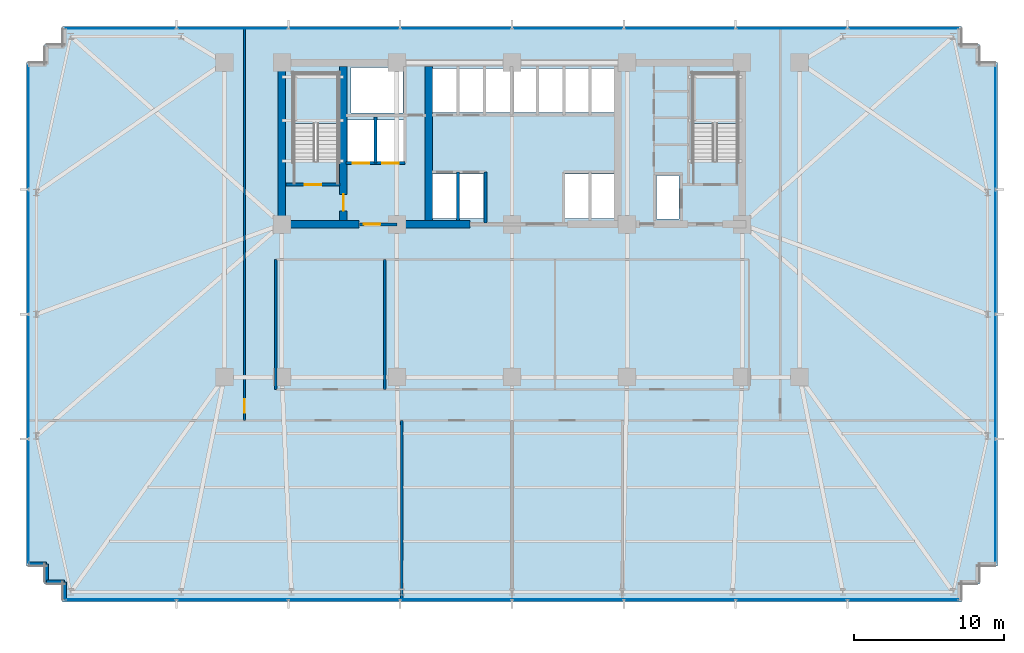
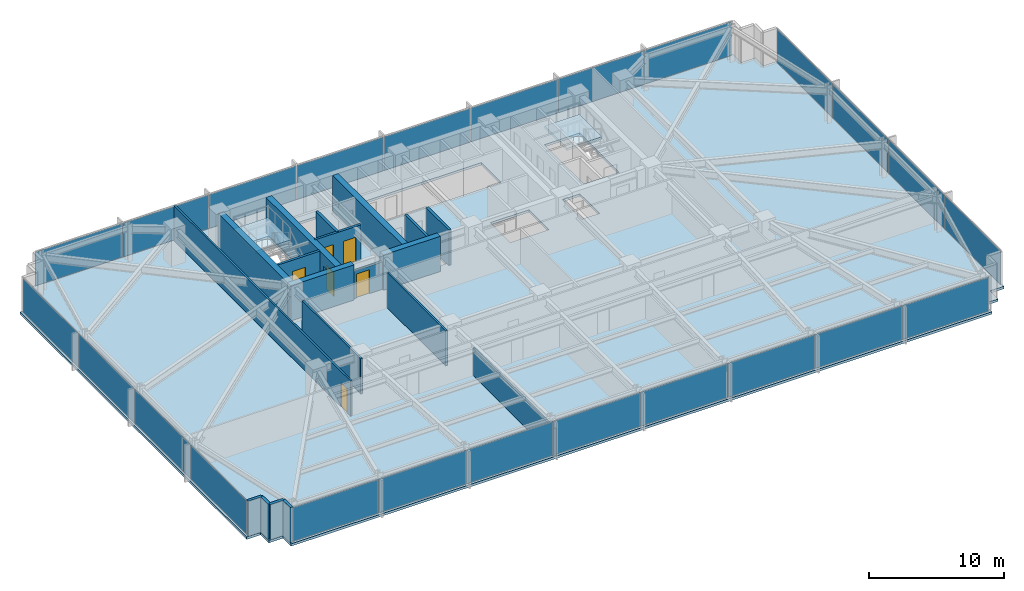
# One storey, part 24 of 32: 24 plates, 19 walls, 6 doors, 3 slabs, 6 openings, 6 elements without a shape of their own.
"""IFC4 building model written with IfcOpenShell, lengths in metres."""

from ifc_helpers import new_model, si_unit, direction, frame, frame_2d, origin, origin_2d, place, context, subcontext, project, spatial, polyline, rectangle, outline, extrude, material, layer, layer_set, type_object, element, fill, aggregate, save


model = new_model("IFC4")

# Units and contexts
model_context = context("Model", 3, precision=1e-05, world=origin(), true_north=direction((0.0, 1.0)))
body_context = subcontext(model_context, "Body", "Model", "MODEL_VIEW")
ifc_project = project(units=[si_unit("LENGTHUNIT", "METRE"), si_unit("AREAUNIT", "SQUARE_METRE"), si_unit("VOLUMEUNIT", "CUBIC_METRE"), si_unit("PLANEANGLEUNIT", "RADIAN"), si_unit("MASSUNIT", "GRAM", prefix="KILO")], contexts=[model_context])

# Site, building, storey
site_placement = place(None, origin())
site = spatial("IfcSite", under=ifc_project, at=site_placement, CompositionType="ELEMENT")
building_placement = place(site_placement, origin())
building = spatial("IfcBuilding", under=site, at=building_placement, Name="Yelkora Congress Tower", CompositionType="ELEMENT")
storey_placement = place(building_placement, frame((0.0, 0.0, 50.800048828125)))
storey = spatial("IfcBuildingStorey", under=building, at=storey_placement, Name="L12", CompositionType="ELEMENT", Elevation=50.800048828125)

# Curtain wall, plates
ifc_material_1 = material(Name="Anodised aluminium and insulated glass", Category="aluminium")
curtain_wall_type = type_object("IfcCurtainWallType", Name="CW-SYS-B1", PredefinedType="NOTDEFINED", material=ifc_material_1)
curtain_wall_1_placement = place(storey_placement, origin())
curtain_wall_1 = element("IfcCurtainWall", 1, at=curtain_wall_1_placement, inside=storey, type_object=curtain_wall_type, Name="L12 Unitised Curtain Wall 5", PredefinedType="NOTDEFINED")
ifc_material_2 = material(Name="Solar-control low-E glass unit B1", Category="glass")
ifc_layer_1 = layer(ifc_material_2, 0.0400390625)
ifc_layer_set_1 = layer_set([ifc_layer_1], Name="Solar-control low-E glass unit B1")
plate_type = type_object("IfcPlateType", Name="PLT-PN-B1", PredefinedType="CURTAIN_PANEL", material=ifc_layer_set_1)
plate_1_placement = place(storey_placement, frame((6.139892578125, 16.923828125, 0.06494140625), z_axis=(0.0, 0.0, 1.0), x_axis=(0.0, 1.0, 0.0)))
plate_1 = element("IfcPlate", 2, at=plate_1_placement, type_object=plate_type, Name="CW-B1 panel 1.1", PredefinedType="CURTAIN_PANEL", context=body_context, shape_type="SweptSolid", body=[
    extrude(rectangle(XDim=8.217529296875, YDim=0.0400390625, at=origin_2d()), origin(), (0.0, 0.0, 1.0), 3.050048828125),
])
plate_2_placement = place(storey_placement, frame((6.139892578125, 25.235107421875, 0.06494140625), z_axis=(0.0, 0.0, 1.0), x_axis=(0.0, 1.0, 0.0)))
plate_2 = element("IfcPlate", 3, at=plate_2_placement, type_object=plate_type, Name="CW-B1 panel 2.1", PredefinedType="CURTAIN_PANEL", context=body_context, shape_type="SweptSolid", body=[
    extrude(rectangle(XDim=8.2548828125, YDim=0.0400390625, at=origin_2d()), origin(), (0.0, 0.0, 1.0), 3.050048828125),
])
plate_3_placement = place(storey_placement, frame((6.139892578125, 33.56494140625, 0.06494140625), z_axis=(0.0, 0.0, 1.0), x_axis=(0.0, 1.0, 0.0)))
plate_3 = element("IfcPlate", 4, at=plate_3_placement, type_object=plate_type, Name="CW-B1 panel 3.1", PredefinedType="CURTAIN_PANEL", context=body_context, shape_type="SweptSolid", body=[
    extrude(rectangle(XDim=8.2548828125, YDim=0.0400390625, at=origin_2d()), origin(), (0.0, 0.0, 1.0), 3.050048828125),
])
plate_4_placement = place(storey_placement, frame((6.139892578125, 41.876220703125, 0.06494140625), z_axis=(0.0, 0.0, 1.0), x_axis=(0.0, 1.0, 0.0)))
plate_4 = element("IfcPlate", 5, at=plate_4_placement, type_object=plate_type, Name="CW-B1 panel 4.1", PredefinedType="CURTAIN_PANEL", context=body_context, shape_type="SweptSolid", body=[
    extrude(rectangle(XDim=8.217529296875, YDim=0.0400390625, at=origin_2d()), origin(), (0.0, 0.0, 1.0), 3.050048828125),
])
aggregate(curtain_wall_1, [plate_1, plate_2, plate_3, plate_4])

curtain_wall_2_placement = place(storey_placement, origin())
curtain_wall_2 = element("IfcCurtainWall", 6, at=curtain_wall_2_placement, inside=storey, type_object=curtain_wall_type, Name="L12 Unitised Curtain Wall 10", PredefinedType="NOTDEFINED")
plate_5_placement = place(storey_placement, frame((12.291259765625, 48.4599609375, 0.06494140625), z_axis=(0.0, 0.0, 1.0), x_axis=(1.0, 0.0, 0.0)))
plate_5 = element("IfcPlate", 7, at=plate_5_placement, type_object=plate_type, Name="CW-B1 panel 1.1", PredefinedType="CURTAIN_PANEL", context=body_context, shape_type="SweptSolid", body=[
    extrude(rectangle(XDim=7.3525390625, YDim=0.0400390625, at=origin_2d()), origin(), (0.0, 0.0, 1.0), 3.050048828125),
])
plate_6_placement = place(storey_placement, frame((19.737548828125, 48.4599609375, 0.06494140625), z_axis=(0.0, 0.0, 1.0), x_axis=(1.0, 0.0, 0.0)))
plate_6 = element("IfcPlate", 8, at=plate_6_placement, type_object=plate_type, Name="CW-B1 panel 2.1", PredefinedType="CURTAIN_PANEL", context=body_context, shape_type="SweptSolid", body=[
    extrude(rectangle(XDim=7.389892578125, YDim=0.0400390625, at=origin_2d()), origin(), (0.0, 0.0, 1.0), 3.050048828125),
])
plate_7_placement = place(storey_placement, frame((27.202392578125, 48.4599609375, 0.06494140625), z_axis=(0.0, 0.0, 1.0), x_axis=(1.0, 0.0, 0.0)))
plate_7 = element("IfcPlate", 9, at=plate_7_placement, type_object=plate_type, Name="CW-B1 panel 3.1", PredefinedType="CURTAIN_PANEL", context=body_context, shape_type="SweptSolid", body=[
    extrude(rectangle(XDim=7.389892578125, YDim=0.0400390625, at=origin_2d()), origin(), (0.0, 0.0, 1.0), 3.050048828125),
])
plate_8_placement = place(storey_placement, frame((34.66748046875, 48.4599609375, 0.06494140625), z_axis=(0.0, 0.0, 1.0), x_axis=(1.0, 0.0, 0.0)))
plate_8 = element("IfcPlate", 10, at=plate_8_placement, type_object=plate_type, Name="CW-B1 panel 4.1", PredefinedType="CURTAIN_PANEL", context=body_context, shape_type="SweptSolid", body=[
    extrude(rectangle(XDim=7.389892578125, YDim=0.0400390625, at=origin_2d()), origin(), (0.0, 0.0, 1.0), 3.050048828125),
])
plate_9_placement = place(storey_placement, frame((42.132568359375, 48.4599609375, 0.06494140625), z_axis=(0.0, 0.0, 1.0), x_axis=(1.0, 0.0, 0.0)))
plate_9 = element("IfcPlate", 11, at=plate_9_placement, type_object=plate_type, Name="CW-B1 panel 5.1", PredefinedType="CURTAIN_PANEL", context=body_context, shape_type="SweptSolid", body=[
    extrude(rectangle(XDim=7.389892578125, YDim=0.0400390625, at=origin_2d()), origin(), (0.0, 0.0, 1.0), 3.050048828125),
])
plate_10_placement = place(storey_placement, frame((49.597412109375, 48.4599609375, 0.06494140625), z_axis=(0.0, 0.0, 1.0), x_axis=(1.0, 0.0, 0.0)))
plate_10 = element("IfcPlate", 12, at=plate_10_placement, type_object=plate_type, Name="CW-B1 panel 6.1", PredefinedType="CURTAIN_PANEL", context=body_context, shape_type="SweptSolid", body=[
    extrude(rectangle(XDim=7.389892578125, YDim=0.0400390625, at=origin_2d()), origin(), (0.0, 0.0, 1.0), 3.050048828125),
])
plate_11_placement = place(storey_placement, frame((57.0625, 48.4599609375, 0.06494140625), z_axis=(0.0, 0.0, 1.0), x_axis=(1.0, 0.0, 0.0)))
plate_11 = element("IfcPlate", 13, at=plate_11_placement, type_object=plate_type, Name="CW-B1 panel 7.1", PredefinedType="CURTAIN_PANEL", context=body_context, shape_type="SweptSolid", body=[
    extrude(rectangle(XDim=7.389892578125, YDim=0.0400390625, at=origin_2d()), origin(), (0.0, 0.0, 1.0), 3.050048828125),
])
plate_12_placement = place(storey_placement, frame((64.5087890625, 48.4599609375, 0.06494140625), z_axis=(0.0, 0.0, 1.0), x_axis=(1.0, 0.0, 0.0)))
plate_12 = element("IfcPlate", 14, at=plate_12_placement, type_object=plate_type, Name="CW-B1 panel 8.1", PredefinedType="CURTAIN_PANEL", context=body_context, shape_type="SweptSolid", body=[
    extrude(rectangle(XDim=7.3525390625, YDim=0.0400390625, at=origin_2d()), origin(), (0.0, 0.0, 1.0), 3.050048828125),
])
aggregate(curtain_wall_2, [plate_5, plate_6, plate_7, plate_8, plate_9, plate_10, plate_11, plate_12])

curtain_wall_3_placement = place(storey_placement, origin())
curtain_wall_3 = element("IfcCurtainWall", 15, at=curtain_wall_3_placement, inside=storey, type_object=curtain_wall_type, Name="L12 Unitised Curtain Wall 15", PredefinedType="NOTDEFINED")
plate_13_placement = place(storey_placement, frame((70.659912109375, 41.876220703125, 0.06494140625), z_axis=(0.0, 0.0, 1.0), x_axis=(0.0, -1.0, 0.0)))
plate_13 = element("IfcPlate", 16, at=plate_13_placement, type_object=plate_type, Name="CW-B1 panel 1.1", PredefinedType="CURTAIN_PANEL", context=body_context, shape_type="SweptSolid", body=[
    extrude(rectangle(XDim=8.217529296875, YDim=0.0400390625, at=origin_2d()), origin(), (0.0, 0.0, 1.0), 3.050048828125),
])
plate_14_placement = place(storey_placement, frame((70.659912109375, 33.56494140625, 0.06494140625), z_axis=(0.0, 0.0, 1.0), x_axis=(0.0, -1.0, 0.0)))
plate_14 = element("IfcPlate", 17, at=plate_14_placement, type_object=plate_type, Name="CW-B1 panel 2.1", PredefinedType="CURTAIN_PANEL", context=body_context, shape_type="SweptSolid", body=[
    extrude(rectangle(XDim=8.2548828125, YDim=0.0400390625, at=origin_2d()), origin(), (0.0, 0.0, 1.0), 3.050048828125),
])
plate_15_placement = place(storey_placement, frame((70.659912109375, 25.235107421875, 0.06494140625), z_axis=(0.0, 0.0, 1.0), x_axis=(0.0, -1.0, 0.0)))
plate_15 = element("IfcPlate", 18, at=plate_15_placement, type_object=plate_type, Name="CW-B1 panel 3.1", PredefinedType="CURTAIN_PANEL", context=body_context, shape_type="SweptSolid", body=[
    extrude(rectangle(XDim=8.2548828125, YDim=0.0400390625, at=origin_2d()), origin(), (0.0, 0.0, 1.0), 3.050048828125),
])
plate_16_placement = place(storey_placement, frame((70.659912109375, 16.923828125, 0.06494140625), z_axis=(0.0, 0.0, 1.0), x_axis=(0.0, -1.0, 0.0)))
plate_16 = element("IfcPlate", 19, at=plate_16_placement, type_object=plate_type, Name="CW-B1 panel 4.1", PredefinedType="CURTAIN_PANEL", context=body_context, shape_type="SweptSolid", body=[
    extrude(rectangle(XDim=8.217529296875, YDim=0.0400390625, at=origin_2d()), origin(), (0.0, 0.0, 1.0), 3.050048828125),
])
aggregate(curtain_wall_3, [plate_13, plate_14, plate_15, plate_16])

curtain_wall_4_placement = place(storey_placement, origin())
curtain_wall_4 = element("IfcCurtainWall", 20, at=curtain_wall_4_placement, inside=storey, type_object=curtain_wall_type, Name="L12 Unitised Curtain Wall 20", PredefinedType="NOTDEFINED")
plate_17_placement = place(storey_placement, frame((64.5087890625, 10.340087890625, 0.06494140625), z_axis=(0.0, 0.0, 1.0), x_axis=(-1.0, 0.0, 0.0)))
plate_17 = element("IfcPlate", 21, at=plate_17_placement, type_object=plate_type, Name="CW-B1 panel 1.1", PredefinedType="CURTAIN_PANEL", context=body_context, shape_type="SweptSolid", body=[
    extrude(rectangle(XDim=7.3525390625, YDim=0.0400390625, at=origin_2d()), origin(), (0.0, 0.0, 1.0), 3.050048828125),
])
plate_18_placement = place(storey_placement, frame((57.0625, 10.340087890625, 0.06494140625), z_axis=(0.0, 0.0, 1.0), x_axis=(-1.0, 0.0, 0.0)))
plate_18 = element("IfcPlate", 22, at=plate_18_placement, type_object=plate_type, Name="CW-B1 panel 2.1", PredefinedType="CURTAIN_PANEL", context=body_context, shape_type="SweptSolid", body=[
    extrude(rectangle(XDim=7.389892578125, YDim=0.0400390625, at=origin_2d()), origin(), (0.0, 0.0, 1.0), 3.050048828125),
])
plate_19_placement = place(storey_placement, frame((49.597412109375, 10.340087890625, 0.06494140625), z_axis=(0.0, 0.0, 1.0), x_axis=(-1.0, 0.0, 0.0)))
plate_19 = element("IfcPlate", 23, at=plate_19_placement, type_object=plate_type, Name="CW-B1 panel 3.1", PredefinedType="CURTAIN_PANEL", context=body_context, shape_type="SweptSolid", body=[
    extrude(rectangle(XDim=7.389892578125, YDim=0.0400390625, at=origin_2d()), origin(), (0.0, 0.0, 1.0), 3.050048828125),
])
plate_20_placement = place(storey_placement, frame((42.132568359375, 10.340087890625, 0.06494140625), z_axis=(0.0, 0.0, 1.0), x_axis=(-1.0, 0.0, 0.0)))
plate_20 = element("IfcPlate", 24, at=plate_20_placement, type_object=plate_type, Name="CW-B1 panel 4.1", PredefinedType="CURTAIN_PANEL", context=body_context, shape_type="SweptSolid", body=[
    extrude(rectangle(XDim=7.389892578125, YDim=0.0400390625, at=origin_2d()), origin(), (0.0, 0.0, 1.0), 3.050048828125),
])
plate_21_placement = place(storey_placement, frame((34.66748046875, 10.340087890625, 0.06494140625), z_axis=(0.0, 0.0, 1.0), x_axis=(-1.0, 0.0, 0.0)))
plate_21 = element("IfcPlate", 25, at=plate_21_placement, type_object=plate_type, Name="CW-B1 panel 5.1", PredefinedType="CURTAIN_PANEL", context=body_context, shape_type="SweptSolid", body=[
    extrude(rectangle(XDim=7.389892578125, YDim=0.0400390625, at=origin_2d()), origin(), (0.0, 0.0, 1.0), 3.050048828125),
])
plate_22_placement = place(storey_placement, frame((27.202392578125, 10.340087890625, 0.06494140625), z_axis=(0.0, 0.0, 1.0), x_axis=(-1.0, 0.0, 0.0)))
plate_22 = element("IfcPlate", 26, at=plate_22_placement, type_object=plate_type, Name="CW-B1 panel 6.1", PredefinedType="CURTAIN_PANEL", context=body_context, shape_type="SweptSolid", body=[
    extrude(rectangle(XDim=7.389892578125, YDim=0.0400390625, at=origin_2d()), origin(), (0.0, 0.0, 1.0), 3.050048828125),
])
plate_23_placement = place(storey_placement, frame((19.737548828125, 10.340087890625, 0.06494140625), z_axis=(0.0, 0.0, 1.0), x_axis=(-1.0, 0.0, 0.0)))
plate_23 = element("IfcPlate", 27, at=plate_23_placement, type_object=plate_type, Name="CW-B1 panel 7.1", PredefinedType="CURTAIN_PANEL", context=body_context, shape_type="SweptSolid", body=[
    extrude(rectangle(XDim=7.389892578125, YDim=0.0400390625, at=origin_2d()), origin(), (0.0, 0.0, 1.0), 3.050048828125),
])
plate_24_placement = place(storey_placement, frame((12.291259765625, 10.340087890625, 0.06494140625), z_axis=(0.0, 0.0, 1.0), x_axis=(-1.0, 0.0, 0.0)))
plate_24 = element("IfcPlate", 28, at=plate_24_placement, type_object=plate_type, Name="CW-B1 panel 8.1", PredefinedType="CURTAIN_PANEL", context=body_context, shape_type="SweptSolid", body=[
    extrude(rectangle(XDim=7.3525390625, YDim=0.0400390625, at=origin_2d()), origin(), (0.0, 0.0, 1.0), 3.050048828125),
])
aggregate(curtain_wall_4, [plate_17, plate_18, plate_19, plate_20, plate_21, plate_22, plate_23, plate_24])

# Stair, slab
ifc_material_3 = material(Name="Concrete C40/50", Category="concrete")
stair_type = type_object("IfcStairType", Name="STAIR-HT-1420-R20-170", PredefinedType="HALF_TURN_STAIR", material=ifc_material_3)
stair_1_placement = place(storey_placement, origin())
stair_1 = element("IfcStair", 29, at=stair_1_placement, inside=storey, type_object=stair_type, Name="West Core Protected Exit Stair ST-01 (L12)", PredefinedType="HALF_TURN_STAIR")
ifc_layer_2 = layer(ifc_material_3, 0.219970703125)
ifc_layer_set_2 = layer_set([ifc_layer_2], Name="Concrete C40/50")
slab_type_1 = type_object("IfcSlabType", Name="SLAB-LANDING-220", PredefinedType="LANDING", material=ifc_layer_set_2)
slab_1_placement = place(storey_placement, frame((0.0, 0.0, 1.47998046875)))
slab_1 = element("IfcSlab", 30, at=slab_1_placement, type_object=slab_type_1, Name="ST-01 L12 Half Landing 1", PredefinedType="LANDING", context=body_context, shape_type="SweptSolid", body=[
    extrude(outline(polyline([(26.820068359375, 42.1201171875), (26.820068359375, 45.469970703125), (23.820068359375, 45.469970703125), (23.820068359375, 42.1201171875), (26.820068359375, 42.1201171875)])), origin(), (0.0, 0.0, 1.0), 0.219970703125),
])
aggregate(stair_1, [slab_1])

stair_2_placement = place(storey_placement, origin())
stair_2 = element("IfcStair", 31, at=stair_2_placement, inside=storey, type_object=stair_type, Name="East Core Protected Exit Stair ST-02 (L12)", PredefinedType="HALF_TURN_STAIR")
slab_2_placement = place(storey_placement, frame((0.0, 0.0, 1.47998046875)))
slab_2 = element("IfcSlab", 32, at=slab_2_placement, type_object=slab_type_1, Name="ST-02 L12 Half Landing 1", PredefinedType="LANDING", context=body_context, shape_type="SweptSolid", body=[
    extrude(outline(polyline([(53.4599609375, 42.1201171875), (53.4599609375, 45.469970703125), (50.4599609375, 45.469970703125), (50.4599609375, 42.1201171875), (53.4599609375, 42.1201171875)])), origin(), (0.0, 0.0, 1.0), 0.219970703125),
])
aggregate(stair_2, [slab_2])

# Slab
ifc_layer_3 = layer(ifc_material_3, 0.219970703125)
ifc_layer_set_3 = layer_set([ifc_layer_3], Name="Concrete C40/50")
slab_type_2 = type_object("IfcSlabType", Name="SLAB-TWR-220", PredefinedType="FLOOR", material=ifc_layer_set_3)
slab_3_placement = place(storey_placement, frame((0.0, 0.0, -0.219970703125)))
element("IfcSlab", 33, at=slab_3_placement, inside=storey, type_object=slab_type_2, Name="L12 Structural Floor Slab", PredefinedType="FLOOR", context=body_context, shape_type="SweptSolid", body=[
    extrude(outline(polyline([(8.39990234375, 10.199951171875), (68.39990234375, 10.199951171875), (68.39990234375, 11.39990234375), (69.60009765625, 11.39990234375), (69.60009765625, 12.60009765625), (70.800048828125, 12.60009765625), (70.800048828125, 46.199951171875), (69.60009765625, 46.199951171875), (69.60009765625, 47.39990234375), (68.39990234375, 47.39990234375), (68.39990234375, 48.60009765625), (8.39990234375, 48.60009765625), (8.39990234375, 47.39990234375), (7.199951171875, 47.39990234375), (7.199951171875, 46.199951171875), (6.0, 46.199951171875), (6.0, 12.60009765625), (7.199951171875, 12.60009765625), (7.199951171875, 11.39990234375), (8.39990234375, 11.39990234375), (8.39990234375, 10.199951171875)]), holes=[polyline([(23.820068359375, 39.6298828125), (26.820068359375, 39.6298828125), (26.820068359375, 45.469970703125), (23.820068359375, 45.469970703125), (23.820068359375, 39.6298828125)]), polyline([(50.4599609375, 39.6298828125), (53.4599609375, 39.6298828125), (53.4599609375, 45.469970703125), (50.4599609375, 45.469970703125), (50.4599609375, 39.6298828125)]), polyline([(48.050048828125, 35.75), (49.550048828125, 35.75), (49.550048828125, 38.64990234375), (48.050048828125, 38.64990234375), (48.050048828125, 35.75)]), polyline([(41.949951171875, 35.800048828125), (45.25, 35.800048828125), (45.25, 38.75), (41.949951171875, 38.75), (41.949951171875, 35.800048828125)]), polyline([(33.10009765625, 42.85009765625), (45.25, 42.85009765625), (45.25, 45.800048828125), (33.10009765625, 45.800048828125), (33.10009765625, 42.85009765625)]), polyline([(33.10009765625, 35.800048828125), (36.5, 35.800048828125), (36.5, 38.75), (33.10009765625, 38.75), (33.10009765625, 35.800048828125)]), polyline([(27.419921875, 39.60009765625), (31.179931640625, 39.60009765625), (31.179931640625, 42.35009765625), (27.419921875, 42.35009765625), (27.419921875, 39.60009765625)]), polyline([(27.64990234375, 42.820068359375), (31.1201171875, 42.820068359375), (31.1201171875, 45.8798828125), (27.64990234375, 45.8798828125), (27.64990234375, 42.820068359375)])]), origin(), (0.0, 0.0, 1.0), 0.219970703125),
])

# Walls
ifc_material_4 = material(Name="Concrete C60/75", Category="concrete")
ifc_layer_4 = layer(ifc_material_4, 0.5)
ifc_layer_set_4 = layer_set([ifc_layer_4], Name="Concrete C60/75")
wall_type_1 = type_object("IfcWallType", Name="WALL-CORE-INT-500", PredefinedType="SHEAR", material=ifc_layer_set_4)
wall_1_placement = place(storey_placement, frame((22.7900390625, 35.39990234375, 0.0), z_axis=(0.0, 0.0, 1.0), x_axis=(1.0, 0.0, 0.0)))
element("IfcWall", 34, at=wall_1_placement, inside=storey, type_object=wall_type_1, Name="L12 Rear Core South-West Shear Wall", PredefinedType="SHEAR", context=body_context, shape_type="SweptSolid", body=[
    extrude(rectangle(XDim=5.409912109375, YDim=0.5, at=frame_2d((2.705078125, 0.0))), origin(), (0.0, 0.0, 1.0), 3.179931640625),
])
wall_2_placement = place(storey_placement, frame((30.719970703125, 35.39990234375, 0.0), z_axis=(0.0, 0.0, 1.0), x_axis=(1.0, 0.0, 0.0)))
element("IfcWall", 35, at=wall_2_placement, inside=storey, type_object=wall_type_1, Name="L12 Rear Core South-Center Shear Pier", PredefinedType="SHEAR", context=body_context, shape_type="SweptSolid", body=[
    extrude(rectangle(XDim=4.880126953125, YDim=0.5, at=frame_2d((2.43994140625, 0.0))), origin(), (0.0, 0.0, 1.0), 3.179931640625),
])
wall_3_placement = place(storey_placement, frame((23.0400390625, 35.64990234375, 0.0), z_axis=(0.0, 0.0, 1.0), x_axis=(0.0, 1.0, 0.0)))
element("IfcWall", 36, at=wall_3_placement, inside=storey, type_object=wall_type_1, Name="L12 Rear Core Cross Shear Wall W", PredefinedType="SHEAR", context=body_context, shape_type="SweptSolid", body=[
    extrude(rectangle(XDim=10.300048828125, YDim=0.5, at=frame_2d((5.14990234375, 0.0))), origin(), (0.0, 0.0, 1.0), 3.179931640625),
])

# Wall, opening, door
wall_4_placement = place(storey_placement, frame((27.14990234375, 35.64990234375, 0.0), z_axis=(0.0, 0.0, 1.0), x_axis=(0.0, 1.0, 0.0)))
wall_4 = element("IfcWall", 37, at=wall_4_placement, inside=storey, type_object=wall_type_1, Name="L12 Rear Core Cross Shear Wall C1", PredefinedType="SHEAR", context=body_context, shape_type="SweptSolid", body=[
    extrude(rectangle(XDim=10.300048828125, YDim=0.5, at=frame_2d((5.14990234375, 0.0))), origin(), (0.0, 0.0, 1.0), 3.179931640625),
])
opening_1_placement = place(wall_4_placement, frame((0.64990234375, 0.0, 0.0)))
opening_1 = element("IfcOpeningElement", 38, at=opening_1_placement, cuts=wall_4, Name="Opening DR-110F9", PredefinedType="OPENING", context=body_context, shape_type="SweptSolid", body=[
    extrude(rectangle(XDim=1.10009765625, YDim=2.14990234375, at=frame_2d((0.550048828125, 1.074951171875))), frame((0.0, 0.260009765625, 0.0), z_axis=(0.0, -1.0, 0.0), x_axis=(1.0, 0.0, 0.0)), (0.0, 0.0, 1.0), 0.52001953125),
])
ifc_material_5 = material(Name="Galvanised steel fire door leaf", Category="steel")
door_type_1 = type_object("IfcDoorType", Name="DOOR-FD90-1100", OperationType="NOTDEFINED", PredefinedType="DOOR", material=ifc_material_5)
door_1_placement = place(opening_1_placement, origin())
door_1 = element("IfcDoor", 39, at=door_1_placement, inside=storey, type_object=door_type_1, Name="L12 Firefighting Stair Transfer Door", OperationType="SINGLE_SWING_LEFT", OverallHeight=2.14990234375, OverallWidth=1.10009765625, PredefinedType="DOOR", context=body_context, shape_type="SweptSolid", body=[
    extrude(rectangle(XDim=1.10009765625, YDim=2.14990234375, at=frame_2d((0.550048828125, 1.074951171875))), frame((0.0, 0.02490234375, 0.0), z_axis=(0.0, -1.0, 0.0), x_axis=(1.0, 0.0, 0.0)), (0.0, 0.0, 1.0), 0.050048828125),
])
fill(opening_1, door_1)

# Walls
wall_5_placement = place(storey_placement, frame((32.85009765625, 35.64990234375, 0.0), z_axis=(0.0, 0.0, 1.0), x_axis=(0.0, 1.0, 0.0)))
element("IfcWall", 40, at=wall_5_placement, inside=storey, type_object=wall_type_1, Name="L12 Rear Core Cross Shear Wall C2", PredefinedType="SHEAR", context=body_context, shape_type="SweptSolid", body=[
    extrude(rectangle(XDim=10.300048828125, YDim=0.5, at=frame_2d((5.14990234375, 0.0))), origin(), (0.0, 0.0, 1.0), 3.179931640625),
])
ifc_layer_5 = layer(ifc_material_3, 0.239990234375)
ifc_layer_set_5 = layer_set([ifc_layer_5], Name="Concrete C40/50")
wall_type_2 = type_object("IfcWallType", Name="WALL-EXT-LIMESTONE-240", PredefinedType="SOLIDWALL", material=ifc_layer_set_5)
for number, where, z_axis, x_axis, name in (
    (41, (8.5400390625, 10.340087890625, 0.0), (0.0, 0.0, 1.0), (0.0, 1.0, 0.0), "L12 Serrated Corner Limestone Pier 1"),
    (42, (8.5400390625, 11.5400390625, 0.0), (0.0, 0.0, 1.0), (-1.0, 0.0, 0.0), "L12 Serrated Corner Limestone Pier 2"),
    (43, (7.340087890625, 11.5400390625, 0.0), (0.0, 0.0, 1.0), (0.0, 1.0, 0.0), "L12 Serrated Corner Limestone Pier 3"),
):
    element("IfcWall", number, at=place(storey_placement, frame(where, z_axis=z_axis, x_axis=x_axis)), inside=storey, type_object=wall_type_2, Name=name, PredefinedType="SOLIDWALL", context=body_context, shape_type="SweptSolid", body=[
        extrude(rectangle(XDim=1.199951171875, YDim=0.239990234375, at=frame_2d((0.60009765625, 0.0))), origin(), (0.0, 0.0, 1.0), 3.179931640625),
    ])
wall_6_placement = place(storey_placement, frame((7.340087890625, 12.739990234375, 0.0), z_axis=(0.0, 0.0, 1.0), x_axis=(-1.0, 0.0, 0.0)))
element("IfcWall", 44, at=wall_6_placement, inside=storey, type_object=wall_type_2, Name="L12 Serrated Corner Limestone Pier 4", PredefinedType="SOLIDWALL", context=body_context, shape_type="SweptSolid", body=[
    extrude(rectangle(XDim=1.2001953125, YDim=0.239990234375, at=frame_2d((0.60009765625, 0.0))), origin(), (0.0, 0.0, 1.0), 3.179931640625),
])
ifc_material_6 = material(Name="Acoustic metal-stud gypsum partition", Category="gypsum")
ifc_layer_6 = layer(ifc_material_6, 0.14990234375)
ifc_layer_set_6 = layer_set([ifc_layer_6], Name="Acoustic metal-stud gypsum partition")
wall_type_3 = type_object("IfcWallType", Name="WALL-INT-150-NR", PredefinedType="PARTITIONING", material=ifc_layer_set_6)
wall_7_placement = place(storey_placement, frame((31.0380859375, 10.280029296875, 0.0), z_axis=(0.0, 0.0, 1.0), x_axis=(0.0, 1.0, 0.0)))
element("IfcWall", 45, at=wall_7_placement, inside=storey, type_object=wall_type_3, Name="L12 Partition Wall 32", PredefinedType="PARTITIONING", context=body_context, shape_type="SweptSolid", body=[
    extrude(rectangle(XDim=12.0400390625, YDim=0.14990234375, at=frame_2d((6.02001953125, 0.0))), origin(), (0.0, 0.0, 1.0), 2.474853515625),
])

# Wall, opening, door
wall_8_placement = place(storey_placement, frame((20.550048828125, 22.300048828125, 0.0), z_axis=(0.0, 0.0, 1.0), x_axis=(0.0, 1.0, 0.0)))
wall_8 = element("IfcWall", 46, at=wall_8_placement, inside=storey, type_object=wall_type_3, Name="L12 Partition Wall 36", PredefinedType="PARTITIONING", context=body_context, shape_type="SweptSolid", body=[
    extrude(rectangle(XDim=26.219970703125, YDim=0.14990234375, at=frame_2d((13.10986328125, 0.0))), origin(), (0.0, 0.0, 1.0), 3.179931640625),
])
opening_2_placement = place(wall_8_placement, frame((0.528076171875, 0.0, 0.0)))
opening_2 = element("IfcOpeningElement", 47, at=opening_2_placement, cuts=wall_8, Name="Opening DR-090N", PredefinedType="OPENING", context=body_context, shape_type="SweptSolid", body=[
    extrude(rectangle(XDim=0.89990234375, YDim=2.14990234375, at=frame_2d((0.449951171875, 1.074951171875))), frame((0.0, 0.0849609375, 0.0), z_axis=(0.0, -1.0, 0.0), x_axis=(1.0, 0.0, 0.0)), (0.0, 0.0, 1.0), 0.169921875),
])
ifc_material_7 = material(Name="Moisture-resistant laminate door leaf", Category="wood")
door_type_2 = type_object("IfcDoorType", Name="DOOR-INT-900", OperationType="NOTDEFINED", PredefinedType="DOOR", material=ifc_material_7)
door_2_placement = place(opening_2_placement, origin())
door_2 = element("IfcDoor", 48, at=door_2_placement, inside=storey, type_object=door_type_2, Name="L12 W Wing Door", OperationType="SINGLE_SWING_RIGHT", OverallHeight=2.14990234375, OverallWidth=0.89990234375, PredefinedType="DOOR", context=body_context, shape_type="SweptSolid", body=[
    extrude(rectangle(XDim=0.89990234375, YDim=2.14990234375, at=frame_2d((0.449951171875, 1.074951171875))), frame((0.0, 0.02490234375, 0.0), z_axis=(0.0, -1.0, 0.0), x_axis=(1.0, 0.0, 0.0)), (0.0, 0.0, 1.0), 0.050048828125),
])
fill(opening_2, door_2)

# Walls
for number, where, z_axis, x_axis, name in (
    (49, (22.6298828125, 24.3798828125, 0.0), (0.0, 0.0, 1.0), (0.0, 1.0, 0.0), "L12 Partition Wall 38"),
    (50, (29.90087890625, 24.3798828125, 0.0), (0.0, 0.0, 1.0), (0.0, 1.0, 0.0), "L12 Partition Wall 41"),
):
    element("IfcWall", number, at=place(storey_placement, frame(where, z_axis=z_axis, x_axis=x_axis)), inside=storey, type_object=wall_type_3, Name=name, PredefinedType="PARTITIONING", context=body_context, shape_type="SweptSolid", body=[
        extrude(rectangle(XDim=8.670166015625, YDim=0.14990234375, at=frame_2d((4.3349609375, 0.0))), origin(), (0.0, 0.0, 1.0), 3.179931640625),
    ])

# Wall, opening, door
ifc_material_8 = material(Name="Autoclaved aerated concrete blockwork", Category="masonry")
ifc_layer_7 = layer(ifc_material_8, 0.199951171875)
ifc_layer_set_7 = layer_set([ifc_layer_7], Name="Autoclaved aerated concrete blockwork")
wall_type_4 = type_object("IfcWallType", Name="WALL-INT-200-R120", PredefinedType="PARTITIONING", material=ifc_layer_set_7)
wall_9_placement = place(storey_placement, frame((23.300048828125, 38.050048828125, 0.0), z_axis=(0.0, 0.0, 1.0), x_axis=(1.0, 0.0, 0.0)))
wall_9 = element("IfcWall", 51, at=wall_9_placement, inside=storey, type_object=wall_type_4, Name="L12 Stair ST-01 Enclosure Wall", PredefinedType="PARTITIONING", context=body_context, shape_type="SweptSolid", body=[
    extrude(rectangle(XDim=3.619873046875, YDim=0.199951171875, at=frame_2d((1.81005859375, 0.0))), origin(), (0.0, 0.0, 1.0), 3.179931640625),
])
opening_3_placement = place(wall_9_placement, frame((1.260009765625, 0.0, 0.0)))
opening_3 = element("IfcOpeningElement", 52, at=opening_3_placement, cuts=wall_9, Name="Opening DR-110F9", PredefinedType="OPENING", context=body_context, shape_type="SweptSolid", body=[
    extrude(rectangle(XDim=1.10009765625, YDim=2.14990234375, at=frame_2d((0.550048828125, 1.074951171875))), frame((0.0, 0.10986328125, 0.0), z_axis=(0.0, -1.0, 0.0), x_axis=(1.0, 0.0, 0.0)), (0.0, 0.0, 1.0), 0.219970703125),
])
door_3_placement = place(opening_3_placement, origin())
door_3 = element("IfcDoor", 53, at=door_3_placement, inside=storey, type_object=door_type_1, Name="L12 Stair ST-01 Entry Door", OperationType="SINGLE_SWING_LEFT", OverallHeight=2.14990234375, OverallWidth=1.10009765625, PredefinedType="DOOR", context=body_context, shape_type="SweptSolid", body=[
    extrude(rectangle(XDim=1.10009765625, YDim=2.14990234375, at=frame_2d((0.550048828125, 1.074951171875))), frame((0.0, 0.02490234375, 0.0), z_axis=(0.0, -1.0, 0.0), x_axis=(1.0, 0.0, 0.0)), (0.0, 0.0, 1.0), 0.050048828125),
])
fill(opening_3, door_3)

wall_10_placement = place(storey_placement, frame((28.219970703125, 35.39990234375, 0.0), z_axis=(0.0, 0.0, 1.0), x_axis=(1.0, 0.0, 0.0)))
wall_10 = element("IfcWall", 54, at=wall_10_placement, inside=storey, type_object=wall_type_4, Name="L12 Firefighting Lobby South Wall", PredefinedType="PARTITIONING", context=body_context, shape_type="SweptSolid", body=[
    extrude(rectangle(XDim=2.5, YDim=0.199951171875, at=frame_2d((1.25, 0.0))), origin(), (0.0, 0.0, 1.0), 2.474853515625),
])
opening_4_placement = place(wall_10_placement, frame((0.300048828125, 0.0, 0.0)))
opening_4 = element("IfcOpeningElement", 55, at=opening_4_placement, cuts=wall_10, Name="Opening DR-110F9", PredefinedType="OPENING", context=body_context, shape_type="SweptSolid", body=[
    extrude(rectangle(XDim=1.10009765625, YDim=2.14990234375, at=frame_2d((0.550048828125, 1.074951171875))), frame((0.0, 0.10986328125, 0.0), z_axis=(0.0, -1.0, 0.0), x_axis=(1.0, 0.0, 0.0)), (0.0, 0.0, 1.0), 0.219970703125),
])
door_4_placement = place(opening_4_placement, origin())
door_4 = element("IfcDoor", 56, at=door_4_placement, inside=storey, type_object=door_type_1, Name="L12 Firefighting Lobby Corridor Door", OperationType="SINGLE_SWING_RIGHT", OverallHeight=2.14990234375, OverallWidth=1.10009765625, PredefinedType="DOOR", context=body_context, shape_type="SweptSolid", body=[
    extrude(rectangle(XDim=1.10009765625, YDim=2.14990234375, at=frame_2d((0.550048828125, 1.074951171875))), frame((0.0, 0.02490234375, 0.0), z_axis=(0.0, -1.0, 0.0), x_axis=(1.0, 0.0, 0.0)), (0.0, 0.0, 1.0), 0.050048828125),
])
fill(opening_4, door_4)

# Wall, openings, doors
wall_11_placement = place(storey_placement, frame((27.320068359375, 39.47998046875, 0.0), z_axis=(0.0, 0.0, 1.0), x_axis=(1.0, 0.0, 0.0)))
wall_11 = element("IfcWall", 57, at=wall_11_placement, inside=storey, type_object=wall_type_4, Name="L12 Firefighting Lift Front Wall", PredefinedType="PARTITIONING", context=body_context, shape_type="SweptSolid", body=[
    extrude(rectangle(XDim=3.93994140625, YDim=0.199951171875, at=frame_2d((1.969970703125, 0.0))), origin(), (0.0, 0.0, 1.0), 3.179931640625),
])
opening_5_placement = place(wall_11_placement, frame((0.449951171875, 0.0, 0.0)))
opening_5 = element("IfcOpeningElement", 58, at=opening_5_placement, cuts=wall_11, Name="Opening LD-FF11", PredefinedType="OPENING", context=body_context, shape_type="SweptSolid", body=[
    extrude(rectangle(XDim=1.10009765625, YDim=2.199951171875, at=frame_2d((0.550048828125, 1.10009765625))), frame((0.0, 0.10986328125, 0.0), z_axis=(0.0, -1.0, 0.0), x_axis=(1.0, 0.0, 0.0)), (0.0, 0.0, 1.0), 0.219970703125),
])
opening_6_placement = place(wall_11_placement, frame((2.409912109375, 0.0, 0.0)))
opening_6 = element("IfcOpeningElement", 59, at=opening_6_placement, cuts=wall_11, Name="Opening LD-FF11", PredefinedType="OPENING", context=body_context, shape_type="SweptSolid", body=[
    extrude(rectangle(XDim=1.10009765625, YDim=2.199951171875, at=frame_2d((0.550048828125, 1.10009765625))), frame((0.0, 0.10986328125, 0.0), z_axis=(0.0, -1.0, 0.0), x_axis=(1.0, 0.0, 0.0)), (0.0, 0.0, 1.0), 0.219970703125),
])
ifc_material_9 = material(Name="Brushed stainless steel 316L landing door", Category="steel")
door_type_3 = type_object("IfcDoorType", Name="DOOR-LIFT-FF-1100", OperationType="DOUBLE_DOOR_SLIDING", PredefinedType="DOOR", material=ifc_material_9)
door_5_placement = place(opening_5_placement, origin())
door_5 = element("IfcDoor", 60, at=door_5_placement, inside=storey, type_object=door_type_3, Name="Lift Landing Door LF-FF1 L12", OperationType="DOUBLE_DOOR_SLIDING", OverallHeight=2.199951171875, OverallWidth=1.10009765625, PredefinedType="DOOR", context=body_context, shape_type="SweptSolid", body=[
    extrude(rectangle(XDim=1.10009765625, YDim=2.199951171875, at=frame_2d((0.550048828125, 1.10009765625))), frame((0.0, 0.02490234375, 0.0), z_axis=(0.0, -1.0, 0.0), x_axis=(1.0, 0.0, 0.0)), (0.0, 0.0, 1.0), 0.050048828125),
])
fill(opening_5, door_5)
door_6_placement = place(opening_6_placement, origin())
door_6 = element("IfcDoor", 61, at=door_6_placement, inside=storey, type_object=door_type_3, Name="Lift Landing Door LF-FF2 L12", OperationType="DOUBLE_DOOR_SLIDING", OverallHeight=2.199951171875, OverallWidth=1.10009765625, PredefinedType="DOOR", context=body_context, shape_type="SweptSolid", body=[
    extrude(rectangle(XDim=1.10009765625, YDim=2.199951171875, at=frame_2d((0.550048828125, 1.10009765625))), frame((0.0, 0.02490234375, 0.0), z_axis=(0.0, -1.0, 0.0), x_axis=(1.0, 0.0, 0.0)), (0.0, 0.0, 1.0), 0.050048828125),
])
fill(opening_6, door_6)

# Walls
wall_12_placement = place(storey_placement, frame((29.300048828125, 39.47998046875, 0.0), z_axis=(0.0, 0.0, 1.0), x_axis=(0.0, 1.0, 0.0)))
element("IfcWall", 62, at=wall_12_placement, inside=storey, type_object=wall_type_4, Name="L12 Partition Wall 4", PredefinedType="PARTITIONING", context=body_context, shape_type="SweptSolid", body=[
    extrude(rectangle(XDim=3.070068359375, YDim=0.199951171875, at=frame_2d((1.53515625, 0.0))), origin(), (0.0, 0.0, 1.0), 3.179931640625),
])
wall_13_placement = place(storey_placement, frame((34.800048828125, 35.64990234375, 0.0), z_axis=(0.0, 0.0, 1.0), x_axis=(0.0, 1.0, 0.0)))
element("IfcWall", 63, at=wall_13_placement, inside=storey, type_object=wall_type_4, Name="L12 Partition Wall 13", PredefinedType="PARTITIONING", context=body_context, shape_type="SweptSolid", body=[
    extrude(rectangle(XDim=3.25, YDim=0.199951171875, at=frame_2d((1.625, 0.0))), origin(), (0.0, 0.0, 1.0), 3.179931640625),
])
wall_14_placement = place(storey_placement, frame((36.6201171875, 35.5, 0.0), z_axis=(0.0, 0.0, 1.0), x_axis=(0.0, 1.0, 0.0)))
element("IfcWall", 64, at=wall_14_placement, inside=storey, type_object=wall_type_4, Name="L12 Partition Wall 15", PredefinedType="PARTITIONING", context=body_context, shape_type="SweptSolid", body=[
    extrude(rectangle(XDim=3.39990234375, YDim=0.199951171875, at=frame_2d((1.699951171875, 0.0))), origin(), (0.0, 0.0, 1.0), 3.179931640625),
])

save(model, "model.ifc")
